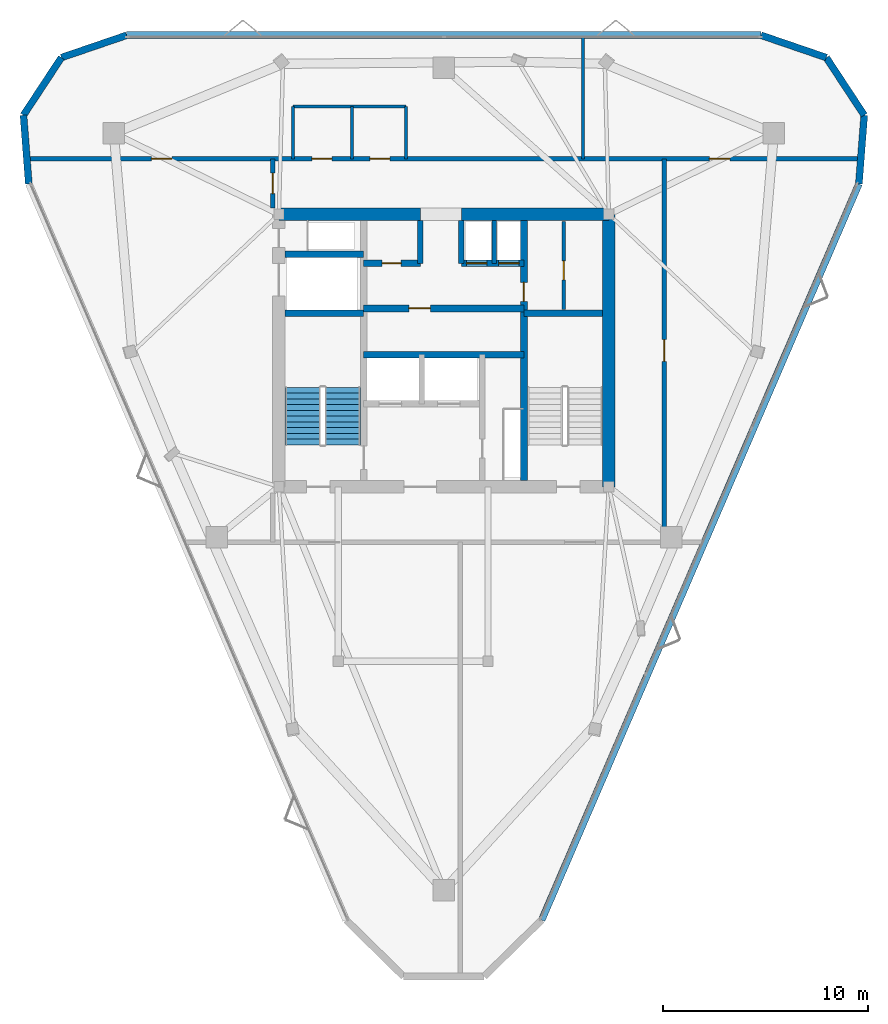
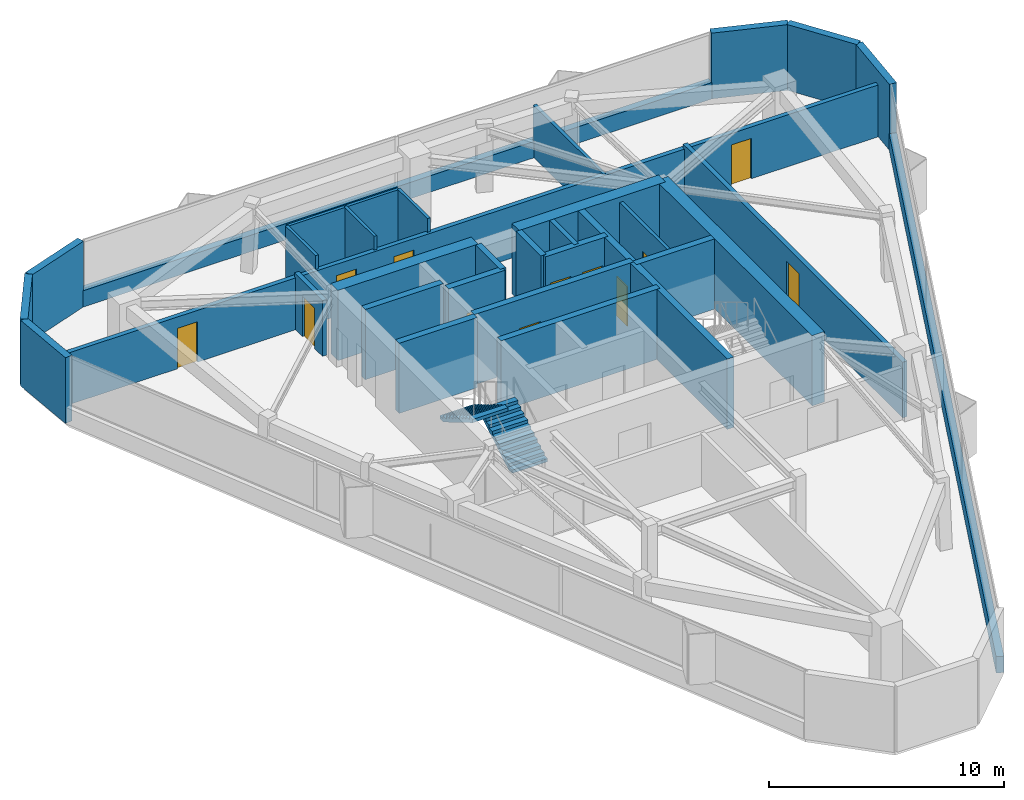
# One storey, part 7 of 9: 31 walls, 12 doors, 2 stair flights, 12 openings, 1 element without a shape of its own.
"""IFC4 building model written with IfcOpenShell, lengths in metres."""

import ifcopenshell
import ifcopenshell.guid

model = None  # the IFC model being written
_history = None  # IfcOwnerHistory: only IFC2X3 demands one
_inside = {}  # id of a spatial element -> (the spatial element, [elements in it])
_under = {}  # id of a project, library or spatial element -> (it, [spatial elements below it])
_declared = {}  # id of a project -> (the project, [libraries it declares])
_typed = {}  # id of a type object -> (the type object, [elements of that type])
_made_of = {}  # id of a material, layer set ... -> (it, [elements and type objects made of it])


def new_model(schema):
    """Start an empty IFC model of exactly this schema.

    Asked for "IFC4X3", IfcOpenShell would pick the latest addendum, in which some entities
    have other attributes; the version numbers below select the first issue.
    IFC2X3 requires an IfcOwnerHistory on every rooted entity: one is made here for all.
    """
    global model, _history
    if schema == "IFC4X3":
        model = ifcopenshell.file(schema_version=(4, 3, 0, 0))
    else:
        model = ifcopenshell.file(schema=schema)
    _inside.clear()
    _under.clear()
    _declared.clear()
    _typed.clear()
    _made_of.clear()
    _history = None
    if model.schema == "IFC2X3":
        org = make("IfcOrganization", Name="unknown")
        user = make(
            "IfcPersonAndOrganization",
            ThePerson=make("IfcPerson", FamilyName="unknown"),
            TheOrganization=org,
        )
        app = make(
            "IfcApplication",
            ApplicationDeveloper=org,
            Version="unknown",
            ApplicationFullName="unknown",
            ApplicationIdentifier="unknown",
        )
        _history = make(
            "IfcOwnerHistory",
            OwningUser=user,
            OwningApplication=app,
            ChangeAction="ADDED",
            CreationDate=0,
        )
    return model


def make(cls, **values):
    """One entity of the class cls with the attributes given. An attribute that is None is left unset."""
    return model.create_entity(
        cls, **{name: value for name, value in values.items() if value is not None}
    )


def rooted(cls, **values):
    """An entity with a GlobalId (a new one), such as an element, a storey or a relation."""
    return make(cls, GlobalId=ifcopenshell.guid.new(), OwnerHistory=_history, **values)


def si_unit(unit_type, name, prefix=None):
    """IfcSIUnit, for example si_unit("LENGTHUNIT", "METRE", prefix="MILLI")."""
    return make("IfcSIUnit", UnitType=unit_type, Prefix=prefix, Name=name)


def assignment(units):
    """IfcUnitAssignment: the units of a project."""
    return None if units is None else make("IfcUnitAssignment", Units=units)


def point(xyz):
    """IfcCartesianPoint."""
    return None if xyz is None else make("IfcCartesianPoint", Coordinates=xyz)


def direction(xyz):
    """IfcDirection."""
    return None if xyz is None else make("IfcDirection", DirectionRatios=xyz)


def frame(location, z_axis=None, x_axis=None):
    """IfcAxis2Placement3D, a coordinate frame: its origin and axes. An axis left out is left unset."""
    return make(
        "IfcAxis2Placement3D",
        Location=point(location),
        Axis=direction(z_axis),
        RefDirection=direction(x_axis),
    )


def frame_2d(location, x_axis=None):
    """IfcAxis2Placement2D, a coordinate frame in the plane: its origin and x axis."""
    return make(
        "IfcAxis2Placement2D", Location=point(location), RefDirection=direction(x_axis)
    )


def origin():
    """The frame at (0, 0, 0) with its axes left unset."""
    return frame((0.0, 0.0, 0.0))


def place(relative_to, where):
    """IfcLocalPlacement: puts the frame where relative to a parent placement (None: the world)."""
    return make(
        "IfcLocalPlacement", PlacementRelTo=relative_to, RelativePlacement=where
    )


def context(
    kind, dimensions, precision=None, world=None, true_north=None, identifier=None
):
    """IfcGeometricRepresentationContext, for example the 3D "Model" context."""
    return make(
        "IfcGeometricRepresentationContext",
        ContextIdentifier=identifier,
        ContextType=kind,
        CoordinateSpaceDimension=dimensions,
        Precision=precision,
        WorldCoordinateSystem=world,
        TrueNorth=true_north,
    )


def subcontext(parent, identifier, kind, view, scale=None):
    """IfcGeometricRepresentationSubContext, for example "Body" below "Model"."""
    return make(
        "IfcGeometricRepresentationSubContext",
        ContextIdentifier=identifier,
        ContextType=kind,
        ParentContext=parent,
        TargetScale=scale,
        TargetView=view,
    )


def project(units=None, contexts=None):
    """IfcProject with its units and contexts."""
    return rooted(
        "IfcProject",
        Name="project",
        RepresentationContexts=contexts,
        UnitsInContext=assignment(units),
    )


def spatial(cls, under=None, at=None, **own):
    """A site, building, storey or space (cls), placed at a placement, below another one or the project."""
    s = rooted(cls, ObjectPlacement=at, **own)
    if under is not None:
        _under.setdefault(under.id(), (under, []))[1].append(s)
    return s


def polyline(points):
    """IfcPolyline through the points."""
    return make("IfcPolyline", Points=[point(p) for p in points])


def profile(cls, at=None, kind="AREA", **sizes):
    """A parametric profile (cls). Its sizes go by their IFC names, for example OverallWidth=200.0."""
    return make(cls, ProfileType=kind, Position=at, **sizes)


def rectangle(**sizes):
    """IfcRectangleProfileDef."""
    return profile("IfcRectangleProfileDef", **sizes)


def outline(outer, holes=None, kind="AREA"):
    """IfcArbitraryClosedProfileDef: a profile drawn as a closed curve; with holes, ...WithVoids."""
    if holes is None:
        return make("IfcArbitraryClosedProfileDef", ProfileType=kind, OuterCurve=outer)
    return make(
        "IfcArbitraryProfileDefWithVoids",
        ProfileType=kind,
        OuterCurve=outer,
        InnerCurves=holes,
    )


def extrude(swept, where, along, depth):
    """IfcExtrudedAreaSolid: the profile swept, set in the frame where, extruded along a direction by depth."""
    return make(
        "IfcExtrudedAreaSolid",
        SweptArea=swept,
        Position=where,
        ExtrudedDirection=direction(along),
        Depth=depth,
    )


def shape(context_of_items, identifier, shape_type, items):
    """IfcShapeRepresentation: the items that make up one representation, for example the "Body"."""
    return make(
        "IfcShapeRepresentation",
        ContextOfItems=context_of_items,
        RepresentationIdentifier=identifier,
        RepresentationType=shape_type,
        Items=items,
    )


def material(Name=None, Category=None):
    """IfcMaterial."""
    return make("IfcMaterial", Name=Name, Category=Category)


def layer(
    of_material, thickness, ventilated=None, Name=None, Category=None, Priority=None
):
    """IfcMaterialLayer: one layer of a wall or slab, of a material (None: an air gap)."""
    return make(
        "IfcMaterialLayer",
        Material=of_material,
        LayerThickness=thickness,
        IsVentilated=ventilated,
        Name=Name,
        Category=Category,
        Priority=Priority,
    )


def layer_set(layers, Name=None):
    """IfcMaterialLayerSet."""
    return make("IfcMaterialLayerSet", MaterialLayers=layers, LayerSetName=Name)


def made_of(thing, what):
    """Note that an element or type object is made of a material, layer set ...; save() writes the relation."""
    if what is not None:
        _made_of.setdefault(what.id(), (what, []))[1].append(thing)
    return thing


def type_object(cls, material=None, **own):
    """A type object (cls), such as IfcWallType, which elements share."""
    return made_of(rooted(cls, **own), material)


def element(
    cls,
    number,
    at=None,
    inside=None,
    cuts=None,
    type_object=None,
    material=None,
    context=None,
    identifier="Body",
    shape_type=None,
    held_by="IfcProductDefinitionShape",
    body=None,
    shapes=None,
    **own,
):
    """One element of the class cls, such as IfcWall. Its Tag is "e" and its number.

    at: its placement. inside: the storey or other place that contains it. cuts: it is an
    opening in that element (IfcRelVoidsElement). A single representation is given by context,
    identifier, shape_type and body (its items); several are given by shapes. held_by: the class
    of the entity that holds the representations. save() writes the other relations.
    """
    e = rooted(cls, Tag="e%d" % number, ObjectPlacement=at, **own)
    if body is not None:
        shapes = [shape(context, identifier, shape_type, body)]
    if shapes is not None:
        e.Representation = make(held_by, Representations=shapes)
    if inside is not None:
        _inside.setdefault(inside.id(), (inside, []))[1].append(e)
    if cuts is not None:
        rooted(
            "IfcRelVoidsElement", RelatingBuildingElement=cuts, RelatedOpeningElement=e
        )
    if type_object is not None:
        _typed.setdefault(type_object.id(), (type_object, []))[1].append(e)
    return made_of(e, material)


def fill(opening, filler):
    """IfcRelFillsElement: the door or window that sits in an opening."""
    return rooted(
        "IfcRelFillsElement",
        RelatingOpeningElement=opening,
        RelatedBuildingElement=filler,
    )


def aggregate(whole, parts):
    """IfcRelAggregates: a whole, such as a stair, and the parts it consists of."""
    return rooted("IfcRelAggregates", RelatingObject=whole, RelatedObjects=parts)


def save(model, path):
    """Write the relations noted so far, then the file.

    IfcRelAggregates (storeys below a building ...), IfcRelContainedInSpatialStructure (elements
    in a storey), IfcRelDefinesByType, IfcRelAssociatesMaterial and IfcRelDeclares: one each for
    every whole, place, type object, material and project.
    """
    for whole, parts in _under.values():
        aggregate(whole, parts)
    for where, things in _inside.values():
        rooted(
            "IfcRelContainedInSpatialStructure",
            RelatedElements=things,
            RelatingStructure=where,
        )
    for kind, things in _typed.values():
        rooted("IfcRelDefinesByType", RelatedObjects=things, RelatingType=kind)
    for what, things in _made_of.values():
        rooted("IfcRelAssociatesMaterial", RelatedObjects=things, RelatingMaterial=what)
    for by, libraries in _declared.values():
        rooted("IfcRelDeclares", RelatingContext=by, RelatedDefinitions=libraries)
    model.write(path)


model = new_model("IFC4")

# Units and contexts
model_context = context("Model", 3, precision=1e-05, world=origin(), true_north=direction((0.0, 1.0)))
body_context = subcontext(model_context, "Body", "Model", "MODEL_VIEW")
ifc_project = project(units=[si_unit("LENGTHUNIT", "METRE"), si_unit("AREAUNIT", "SQUARE_METRE"), si_unit("VOLUMEUNIT", "CUBIC_METRE"), si_unit("PLANEANGLEUNIT", "RADIAN"), si_unit("MASSUNIT", "GRAM", prefix="KILO")], contexts=[model_context])

# Site, building, storey
site_placement = place(None, origin())
site = spatial("IfcSite", under=ifc_project, at=site_placement, CompositionType="ELEMENT")
building_placement = place(site_placement, origin())
building = spatial("IfcBuilding", under=site, at=building_placement, Name="Talyreon Biosciences Tower", CompositionType="ELEMENT")
storey_placement = place(building_placement, frame((0.0, 0.0, 309.35009765625)))
storey = spatial("IfcBuildingStorey", under=building, at=storey_placement, Name="L82", CompositionType="ELEMENT", Elevation=309.35009765625)

# Walls
ifc_material_1 = material(Name="Concrete C50/60", Category="concrete")
ifc_layer_1 = layer(ifc_material_1, 0.219970703125)
ifc_layer_set_1 = layer_set([ifc_layer_1], Name="Concrete C50/60")
wall_type_1 = type_object("IfcWallType", Name="CoreShearWall_220", PredefinedType="SHEAR", material=ifc_layer_set_1)
wall_1_placement = place(storey_placement, frame((68.4599609375, 72.25, 0.0), z_axis=(0.0, 0.0, 1.0), x_axis=(0.0, 1.0, 0.0)))
element("IfcWall", 1, at=wall_1_placement, inside=storey, type_object=wall_type_1, Name="L82 Core Shaft Wall SWPHD", PredefinedType="SHEAR", context=body_context, shape_type="SweptSolid", body=[
    extrude(rectangle(XDim=2.10009765625, YDim=0.219970703125, at=frame_2d((1.050048828125, 0.0))), origin(), (0.0, 0.0, 1.0), 3.64990234375),
])
ifc_layer_2 = layer(ifc_material_1, 0.280029296875)
ifc_layer_set_2 = layer_set([ifc_layer_2], Name="Concrete C50/60")
wall_type_2 = type_object("IfcWallType", Name="CoreShearWall_280", PredefinedType="SHEAR", material=ifc_layer_set_2)
for number, where, z_axis, x_axis, name in (
    (2, (64.85009765625, 72.25, 0.0), (0.0, 0.0, 1.0), (0.0, 1.0, 0.0), "L82 Core Shaft Wall SWTHW"),
    (3, (66.85009765625, 72.25, 0.0), (0.0, 0.0, 1.0), (0.0, 1.0, 0.0), "L82 Core Shaft Wall SWTHE"),
):
    element("IfcWall", number, at=place(storey_placement, frame(where, z_axis=z_axis, x_axis=x_axis)), inside=storey, type_object=wall_type_2, Name=name, PredefinedType="SHEAR", context=body_context, shape_type="SweptSolid", body=[
        extrude(rectangle(XDim=2.10009765625, YDim=0.280029296875, at=frame_2d((1.050048828125, 0.0))), origin(), (0.0, 0.0, 1.0), 3.64990234375),
    ])

# Wall, opening, door
ifc_layer_3 = layer(ifc_material_1, 0.320068359375)
ifc_layer_set_3 = layer_set([ifc_layer_3], Name="Concrete C50/60")
wall_type_3 = type_object("IfcWallType", Name="CoreShearWall_320", PredefinedType="SHEAR", material=ifc_layer_set_3)
wall_2_placement = place(storey_placement, frame((69.909912109375, 61.64990234375, 0.0), z_axis=(0.0, 0.0, 1.0), x_axis=(0.0, 1.0, 0.0)))
wall_2 = element("IfcWall", 4, at=wall_2_placement, inside=storey, type_object=wall_type_3, Name="L82 Core Shaft Wall SW2W", PredefinedType="SHEAR", context=body_context, shape_type="SweptSolid", body=[
    extrude(rectangle(XDim=12.7001953125, YDim=0.320068359375, at=frame_2d((6.35009765625, 0.0))), origin(), (0.0, 0.0, 1.0), 3.64990234375),
])
opening_1_placement = place(wall_2_placement, frame((8.75, 0.0, 0.0)))
opening_1 = element("IfcOpeningElement", 5, at=opening_1_placement, cuts=wall_2, Name="Opening DR-L82-CSRV", PredefinedType="OPENING", context=body_context, shape_type="SweptSolid", body=[
    extrude(rectangle(XDim=0.919921875, YDim=2.050048828125, at=frame_2d((0.4599609375, 1.02490234375))), frame((0.0, 0.169921875, 0.0), z_axis=(0.0, -1.0, 0.0), x_axis=(1.0, 0.0, 0.0)), (0.0, 0.0, 1.0), 0.340087890625),
])
ifc_material_2 = material(Name="Painted steel fire-rated riser door", Category="steel")
door_type_1 = type_object("IfcDoorType", Name="RiserPlantAccessDoor_920x2050", OperationType="NOTDEFINED", PredefinedType="DOOR", material=ifc_material_2)
door_1_placement = place(opening_1_placement, origin())
door_1 = element("IfcDoor", 6, at=door_1_placement, inside=storey, type_object=door_type_1, Name="L82 Core Door DR-L82-CSRV", OperationType="SINGLE_SWING_RIGHT", OverallHeight=2.050048828125, OverallWidth=0.919921875, PredefinedType="DOOR", context=body_context, shape_type="SweptSolid", body=[
    extrude(rectangle(XDim=0.919921875, YDim=2.050048828125, at=frame_2d((0.4599609375, 1.02490234375))), frame((0.0, 0.02490234375, 0.0), z_axis=(0.0, -1.0, 0.0), x_axis=(1.0, 0.0, 0.0)), (0.0, 0.0, 1.0), 0.050048828125),
])
fill(opening_1, door_1)

# Walls
for number, where, z_axis, x_axis, name in (
    (7, (58.25, 69.81005859375, 0.0), (0.0, 0.0, 1.0), (1.0, 0.0, 0.0), "L82 Core Shaft Wall SW1N"),
    (8, (69.909912109375, 69.81005859375, 0.0), (0.0, 0.0, 1.0), (1.0, 0.0, 0.0), "L82 Core Shaft Wall SW2N"),
    (9, (58.25, 72.699951171875, 0.0), (0.0, 0.0, 1.0), (1.0, 0.0, 0.0), "L82 Core Shaft Wall SWGLN"),
):
    element("IfcWall", number, at=place(storey_placement, frame(where, z_axis=z_axis, x_axis=x_axis)), inside=storey, type_object=wall_type_3, Name=name, PredefinedType="SHEAR", context=body_context, shape_type="SweptSolid", body=[
        extrude(rectangle(XDim=3.840087890625, YDim=0.320068359375, at=frame_2d((1.919921875, 0.0))), origin(), (0.0, 0.0, 1.0), 3.64990234375),
    ])
wall_3_placement = place(storey_placement, frame((62.090087890625, 67.800048828125, 0.0), z_axis=(0.0, 0.0, 1.0), x_axis=(1.0, 0.0, 0.0)))
element("IfcWall", 10, at=wall_3_placement, inside=storey, type_object=wall_type_3, Name="L82 Core Shaft Wall SWSHM", PredefinedType="SHEAR", context=body_context, shape_type="SweptSolid", body=[
    extrude(rectangle(XDim=7.81982421875, YDim=0.320068359375, at=frame_2d((3.909912109375, 0.0))), origin(), (0.0, 0.0, 1.0), 3.64990234375),
])

# Wall, opening, door
wall_4_placement = place(storey_placement, frame((62.090087890625, 70.050048828125, 0.0), z_axis=(0.0, 0.0, 1.0), x_axis=(1.0, 0.0, 0.0)))
wall_4 = element("IfcWall", 11, at=wall_4_placement, inside=storey, type_object=wall_type_3, Name="L82 Core Shaft Wall SWSPN", PredefinedType="SHEAR", context=body_context, shape_type="SweptSolid", body=[
    extrude(rectangle(XDim=7.81982421875, YDim=0.320068359375, at=frame_2d((3.909912109375, 0.0))), origin(), (0.0, 0.0, 1.0), 3.64990234375),
])
opening_2_placement = place(wall_4_placement, frame((2.199951171875, 0.0, 0.0)))
opening_2 = element("IfcOpeningElement", 12, at=opening_2_placement, cuts=wall_4, Name="Opening DR-L82-PLPMFREE", PredefinedType="OPENING", context=body_context, shape_type="SweptSolid", body=[
    extrude(rectangle(XDim=1.050048828125, YDim=2.14990234375, at=frame_2d((0.52490234375, 1.074951171875))), frame((0.0, 0.169921875, 0.0), z_axis=(0.0, -1.0, 0.0), x_axis=(1.0, 0.0, 0.0)), (0.0, 0.0, 1.0), 0.340087890625),
])
ifc_material_3 = material(Name="Acoustic timber-core laboratory door", Category="wood")
door_type_2 = type_object("IfcDoorType", Name="DryLabSingleDoor_1050x2150", OperationType="NOTDEFINED", PredefinedType="DOOR", material=ifc_material_3)
door_2_placement = place(opening_2_placement, origin())
door_2 = element("IfcDoor", 13, at=door_2_placement, inside=storey, type_object=door_type_2, Name="L82 Core Door DR-L82-PLPMFREE", OperationType="SINGLE_SWING_LEFT", OverallHeight=2.14990234375, OverallWidth=1.050048828125, PredefinedType="DOOR", context=body_context, shape_type="SweptSolid", body=[
    extrude(rectangle(XDim=1.050048828125, YDim=2.14990234375, at=frame_2d((0.52490234375, 1.074951171875))), frame((0.0, 0.02490234375, 0.0), z_axis=(0.0, -1.0, 0.0), x_axis=(1.0, 0.0, 0.0)), (0.0, 0.0, 1.0), 0.050048828125),
])
fill(opening_2, door_2)

wall_5_placement = place(storey_placement, frame((62.090087890625, 72.25, 0.0), z_axis=(0.0, 0.0, 1.0), x_axis=(1.0, 0.0, 0.0)))
wall_5 = element("IfcWall", 14, at=wall_5_placement, inside=storey, type_object=wall_type_3, Name="L82 Core Shaft Wall SWNPW", PredefinedType="SHEAR", context=body_context, shape_type="SweptSolid", body=[
    extrude(rectangle(XDim=2.760009765625, YDim=0.320068359375, at=frame_2d((1.3798828125, 0.0))), origin(), (0.0, 0.0, 1.0), 3.64990234375),
])
opening_3_placement = place(wall_5_placement, frame((0.89990234375, 0.0, 0.0)))
opening_3 = element("IfcOpeningElement", 15, at=opening_3_placement, cuts=wall_5, Name="Opening DR-L82-PM2FREE", PredefinedType="OPENING", context=body_context, shape_type="SweptSolid", body=[
    extrude(rectangle(XDim=0.919921875, YDim=2.050048828125, at=frame_2d((0.4599609375, 1.02490234375))), frame((0.0, 0.169921875, 0.0), z_axis=(0.0, -1.0, 0.0), x_axis=(1.0, 0.0, 0.0)), (0.0, 0.0, 1.0), 0.340087890625),
])
door_3_placement = place(opening_3_placement, origin())
door_3 = element("IfcDoor", 16, at=door_3_placement, inside=storey, type_object=door_type_1, Name="L82 Core Door DR-L82-PM2FREE", OperationType="SINGLE_SWING_RIGHT", OverallHeight=2.050048828125, OverallWidth=0.919921875, PredefinedType="DOOR", context=body_context, shape_type="SweptSolid", body=[
    extrude(rectangle(XDim=0.919921875, YDim=2.050048828125, at=frame_2d((0.4599609375, 1.02490234375))), frame((0.0, 0.02490234375, 0.0), z_axis=(0.0, -1.0, 0.0), x_axis=(1.0, 0.0, 0.0)), (0.0, 0.0, 1.0), 0.050048828125),
])
fill(opening_3, door_3)

# Wall, openings, doors
wall_6_placement = place(storey_placement, frame((66.85009765625, 72.25, 0.0), z_axis=(0.0, 0.0, 1.0), x_axis=(1.0, 0.0, 0.0)))
wall_6 = element("IfcWall", 17, at=wall_6_placement, inside=storey, type_object=wall_type_3, Name="L82 Core Shaft Wall SWNPE", PredefinedType="SHEAR", context=body_context, shape_type="SweptSolid", body=[
    extrude(rectangle(XDim=3.059814453125, YDim=0.320068359375, at=frame_2d((1.52978515625, 0.0))), origin(), (0.0, 0.0, 1.0), 3.64990234375),
])
opening_4_placement = place(wall_6_placement, frame((0.25, 0.0, 0.0)))
opening_4 = element("IfcOpeningElement", 18, at=opening_4_placement, cuts=wall_6, Name="Opening LD-L82-PH1", PredefinedType="OPENING", context=body_context, shape_type="SweptSolid", body=[
    extrude(rectangle(XDim=1.0, YDim=2.199951171875, at=frame_2d((0.5, 1.10009765625))), frame((0.0, 0.169921875, 0.0), z_axis=(0.0, -1.0, 0.0), x_axis=(1.0, 0.0, 0.0)), (0.0, 0.0, 1.0), 0.340087890625),
])
opening_5_placement = place(wall_6_placement, frame((1.820068359375, 0.0, 0.0)))
opening_5 = element("IfcOpeningElement", 19, at=opening_5_placement, cuts=wall_6, Name="Opening LD-L82-PH2", PredefinedType="OPENING", context=body_context, shape_type="SweptSolid", body=[
    extrude(rectangle(XDim=1.0, YDim=2.199951171875, at=frame_2d((0.5, 1.10009765625))), frame((0.0, 0.169921875, 0.0), z_axis=(0.0, -1.0, 0.0), x_axis=(1.0, 0.0, 0.0)), (0.0, 0.0, 1.0), 0.340087890625),
])
ifc_material_4 = material(Name="Brushed stainless-steel lift landing door", Category="steel")
door_type_3 = type_object("IfcDoorType", Name="LiftSlidingLandingDoor_1100x2200", OperationType="SLIDING_TO_LEFT", PredefinedType="DOOR", material=ifc_material_4)
door_4_placement = place(opening_4_placement, origin())
door_4 = element("IfcDoor", 20, at=door_4_placement, inside=storey, type_object=door_type_3, Name="L82 Core Door LD-L82-PH1", OperationType="SLIDING_TO_LEFT", OverallHeight=2.199951171875, OverallWidth=1.0, PredefinedType="DOOR", context=body_context, shape_type="SweptSolid", body=[
    extrude(rectangle(XDim=1.0, YDim=2.199951171875, at=frame_2d((0.5, 1.10009765625))), frame((0.0, 0.02490234375, 0.0), z_axis=(0.0, -1.0, 0.0), x_axis=(1.0, 0.0, 0.0)), (0.0, 0.0, 1.0), 0.050048828125),
])
fill(opening_4, door_4)
door_5_placement = place(opening_5_placement, origin())
door_5 = element("IfcDoor", 21, at=door_5_placement, inside=storey, type_object=door_type_3, Name="L82 Core Door LD-L82-PH2", OperationType="SLIDING_TO_LEFT", OverallHeight=2.199951171875, OverallWidth=1.0, PredefinedType="DOOR", context=body_context, shape_type="SweptSolid", body=[
    extrude(rectangle(XDim=1.0, YDim=2.199951171875, at=frame_2d((0.5, 1.10009765625))), frame((0.0, 0.02490234375, 0.0), z_axis=(0.0, -1.0, 0.0), x_axis=(1.0, 0.0, 0.0)), (0.0, 0.0, 1.0), 0.050048828125),
])
fill(opening_5, door_5)

# Walls
ifc_layer_4 = layer(ifc_material_1, 0.60009765625)
ifc_layer_set_4 = layer_set([ifc_layer_4], Name="Concrete C50/60")
wall_type_4 = type_object("IfcWallType", Name="CoreShearWall_600", PredefinedType="SHEAR", material=ifc_layer_set_4)
wall_7_placement = place(storey_placement, frame((74.050048828125, 61.35009765625, 0.0), z_axis=(0.0, 0.0, 1.0), x_axis=(0.0, 1.0, 0.0)))
element("IfcWall", 22, at=wall_7_placement, inside=storey, type_object=wall_type_4, Name="L82 Core Shear Wall E", PredefinedType="SHEAR", context=body_context, shape_type="SweptSolid", body=[
    extrude(rectangle(XDim=13.2998046875, YDim=0.60009765625, at=frame_2d((6.64990234375, 0.0))), origin(), (0.0, 0.0, 1.0), 3.64990234375),
])
wall_8_placement = place(storey_placement, frame((74.050048828125, 74.64990234375, 0.0), z_axis=(0.0, 0.0, 1.0), x_axis=(-1.0, 0.0, 0.0)))
element("IfcWall", 23, at=wall_8_placement, inside=storey, type_object=wall_type_4, Name="L82 Core Shear Wall NE", PredefinedType="SHEAR", context=body_context, shape_type="SweptSolid", body=[
    extrude(rectangle(XDim=7.199951171875, YDim=0.60009765625, at=frame_2d((3.60009765625, 0.0))), origin(), (0.0, 0.0, 1.0), 3.64990234375),
])
wall_9_placement = place(storey_placement, frame((64.85009765625, 74.64990234375, 0.0), z_axis=(0.0, 0.0, 1.0), x_axis=(-1.0, 0.0, 0.0)))
element("IfcWall", 24, at=wall_9_placement, inside=storey, type_object=wall_type_4, Name="L82 Core Shear Wall NW", PredefinedType="SHEAR", context=body_context, shape_type="SweptSolid", body=[
    extrude(rectangle(XDim=6.900146484375, YDim=0.60009765625, at=frame_2d((3.4501953125, 0.0))), origin(), (0.0, 0.0, 1.0), 3.64990234375),
])

# Wall, openings, doors
ifc_material_5 = material(Name="Gypsum fireboard acoustic stud", Category="gypsum")
ifc_layer_5 = layer(ifc_material_5, 0.219970703125)
ifc_layer_set_5 = layer_set([ifc_layer_5], Name="Gypsum fireboard acoustic stud")
wall_type_5 = type_object("IfcWallType", Name="CorridorRatedPartition_220", PredefinedType="PARTITIONING", material=ifc_layer_set_5)
wall_10_placement = place(storey_placement, frame((45.738037109375, 77.35009765625, 0.0), z_axis=(0.0, 0.0, 1.0), x_axis=(1.0, 0.0, 0.0)))
wall_10 = element("IfcWall", 25, at=wall_10_placement, inside=storey, type_object=wall_type_5, Name="L82 Interior Wall IW-L82-COR-N", PredefinedType="PARTITIONING", context=body_context, shape_type="SweptSolid", body=[
    extrude(rectangle(XDim=40.52392578125, YDim=0.219970703125, at=frame_2d((20.261962890625, 0.0))), origin(), (0.0, 0.0, 1.0), 2.69482421875),
])
opening_6_placement = place(wall_10_placement, frame((13.822021484375, 0.0, 0.0)))
opening_6 = element("IfcOpeningElement", 26, at=opening_6_placement, cuts=wall_10, Name="Opening DR-L82-WC", PredefinedType="OPENING", context=body_context, shape_type="SweptSolid", body=[
    extrude(rectangle(XDim=0.97998046875, YDim=2.10009765625, at=frame_2d((0.489990234375, 1.050048828125))), frame((0.0, 0.119873046875, 0.0), z_axis=(0.0, -1.0, 0.0), x_axis=(1.0, 0.0, 0.0)), (0.0, 0.0, 1.0), 0.239990234375),
])
opening_7_placement = place(wall_10_placement, frame((16.64697265625, 0.0, 0.0)))
opening_7 = element("IfcOpeningElement", 27, at=opening_7_placement, cuts=wall_10, Name="Opening DR-L82-AWC", PredefinedType="OPENING", context=body_context, shape_type="SweptSolid", body=[
    extrude(rectangle(XDim=0.97998046875, YDim=2.10009765625, at=frame_2d((0.489990234375, 1.050048828125))), frame((0.0, 0.119873046875, 0.0), z_axis=(0.0, -1.0, 0.0), x_axis=(1.0, 0.0, 0.0)), (0.0, 0.0, 1.0), 0.239990234375),
])
opening_8_placement = place(wall_10_placement, frame((5.990966796875, 0.0, 0.0)))
opening_8 = element("IfcOpeningElement", 28, at=opening_8_placement, cuts=wall_10, Name="Opening DR-L82-N1A", PredefinedType="OPENING", context=body_context, shape_type="SweptSolid", body=[
    extrude(rectangle(XDim=1.0, YDim=2.10009765625, at=frame_2d((0.5, 1.050048828125))), frame((0.0, 0.119873046875, 0.0), z_axis=(0.0, -1.0, 0.0), x_axis=(1.0, 0.0, 0.0)), (0.0, 0.0, 1.0), 0.239990234375),
])
opening_9_placement = place(wall_10_placement, frame((33.212890625, 0.0, 0.0)))
opening_9 = element("IfcOpeningElement", 29, at=opening_9_placement, cuts=wall_10, Name="Opening DR-L82-N2A", PredefinedType="OPENING", context=body_context, shape_type="SweptSolid", body=[
    extrude(rectangle(XDim=1.0, YDim=2.10009765625, at=frame_2d((0.5, 1.050048828125))), frame((0.0, 0.119873046875, 0.0), z_axis=(0.0, -1.0, 0.0), x_axis=(1.0, 0.0, 0.0)), (0.0, 0.0, 1.0), 0.239990234375),
])
ifc_material_6 = material(Name="Laminate moisture-resistant door", Category="wood")
door_type_4 = type_object("IfcDoorType", Name="AccessibleToiletDoor_980x2100", OperationType="NOTDEFINED", PredefinedType="DOOR", material=ifc_material_6)
door_6_placement = place(opening_6_placement, origin())
door_6 = element("IfcDoor", 30, at=door_6_placement, inside=storey, type_object=door_type_4, Name="L82 Interior Door DR-L82-WC", OperationType="SINGLE_SWING_LEFT", OverallHeight=2.10009765625, OverallWidth=0.97998046875, PredefinedType="DOOR", context=body_context, shape_type="SweptSolid", body=[
    extrude(rectangle(XDim=0.97998046875, YDim=2.10009765625, at=frame_2d((0.489990234375, 1.050048828125))), frame((0.0, 0.02490234375, 0.0), z_axis=(0.0, -1.0, 0.0), x_axis=(1.0, 0.0, 0.0)), (0.0, 0.0, 1.0), 0.050048828125),
])
fill(opening_6, door_6)
door_7_placement = place(opening_7_placement, origin())
door_7 = element("IfcDoor", 31, at=door_7_placement, inside=storey, type_object=door_type_4, Name="L82 Interior Door DR-L82-AWC", OperationType="SINGLE_SWING_LEFT", OverallHeight=2.10009765625, OverallWidth=0.97998046875, PredefinedType="DOOR", context=body_context, shape_type="SweptSolid", body=[
    extrude(rectangle(XDim=0.97998046875, YDim=2.10009765625, at=frame_2d((0.489990234375, 1.050048828125))), frame((0.0, 0.02490234375, 0.0), z_axis=(0.0, -1.0, 0.0), x_axis=(1.0, 0.0, 0.0)), (0.0, 0.0, 1.0), 0.050048828125),
])
fill(opening_7, door_7)
ifc_material_7 = material(Name="Acoustic oak veneer office door", Category="wood")
door_type_5 = type_object("IfcDoorType", Name="WriteupOfficeDoor_1000x2100", OperationType="NOTDEFINED", PredefinedType="DOOR", material=ifc_material_7)
door_8_placement = place(opening_8_placement, origin())
door_8 = element("IfcDoor", 32, at=door_8_placement, inside=storey, type_object=door_type_5, Name="L82 Interior Door DR-L82-N1A", OperationType="SINGLE_SWING_LEFT", OverallHeight=2.10009765625, OverallWidth=1.0, PredefinedType="DOOR", context=body_context, shape_type="SweptSolid", body=[
    extrude(rectangle(XDim=1.0, YDim=2.10009765625, at=frame_2d((0.5, 1.050048828125))), frame((0.0, 0.02490234375, 0.0), z_axis=(0.0, -1.0, 0.0), x_axis=(1.0, 0.0, 0.0)), (0.0, 0.0, 1.0), 0.050048828125),
])
fill(opening_8, door_8)
door_9_placement = place(opening_9_placement, origin())
door_9 = element("IfcDoor", 33, at=door_9_placement, inside=storey, type_object=door_type_5, Name="L82 Interior Door DR-L82-N2A", OperationType="SINGLE_SWING_LEFT", OverallHeight=2.10009765625, OverallWidth=1.0, PredefinedType="DOOR", context=body_context, shape_type="SweptSolid", body=[
    extrude(rectangle(XDim=1.0, YDim=2.10009765625, at=frame_2d((0.5, 1.050048828125))), frame((0.0, 0.02490234375, 0.0), z_axis=(0.0, -1.0, 0.0), x_axis=(1.0, 0.0, 0.0)), (0.0, 0.0, 1.0), 0.050048828125),
])
fill(opening_9, door_9)

# Wall, opening, door
wall_11_placement = place(storey_placement, frame((57.64990234375, 74.949951171875, 0.0), z_axis=(0.0, 0.0, 1.0), x_axis=(0.0, 1.0, 0.0)))
wall_11 = element("IfcWall", 34, at=wall_11_placement, inside=storey, type_object=wall_type_5, Name="L82 Interior Wall IW-L82-WCAP-N", PredefinedType="PARTITIONING", context=body_context, shape_type="SweptSolid", body=[
    extrude(rectangle(XDim=2.400146484375, YDim=0.219970703125, at=frame_2d((1.2001953125, 0.0))), origin(), (0.0, 0.0, 1.0), 2.89501953125),
])
opening_10_placement = place(wall_11_placement, frame((0.699951171875, 0.0, 0.0)))
opening_10 = element("IfcOpeningElement", 35, at=opening_10_placement, cuts=wall_11, Name="Opening DR-L82-W1A", PredefinedType="OPENING", context=body_context, shape_type="SweptSolid", body=[
    extrude(rectangle(XDim=1.0, YDim=2.10009765625, at=frame_2d((0.5, 1.050048828125))), frame((0.0, 0.119873046875, 0.0), z_axis=(0.0, -1.0, 0.0), x_axis=(1.0, 0.0, 0.0)), (0.0, 0.0, 1.0), 0.239990234375),
])
door_10_placement = place(opening_10_placement, origin())
door_10 = element("IfcDoor", 36, at=door_10_placement, inside=storey, type_object=door_type_5, Name="L82 Interior Door DR-L82-W1A", OperationType="SINGLE_SWING_RIGHT", OverallHeight=2.10009765625, OverallWidth=1.0, PredefinedType="DOOR", context=body_context, shape_type="SweptSolid", body=[
    extrude(rectangle(XDim=1.0, YDim=2.10009765625, at=frame_2d((0.5, 1.050048828125))), frame((0.0, 0.02490234375, 0.0), z_axis=(0.0, -1.0, 0.0), x_axis=(1.0, 0.0, 0.0)), (0.0, 0.0, 1.0), 0.050048828125),
])
fill(opening_10, door_10)

wall_12_placement = place(storey_placement, frame((76.75, 58.64990234375, 0.0), z_axis=(0.0, 0.0, 1.0), x_axis=(0.0, 1.0, 0.0)))
wall_12 = element("IfcWall", 37, at=wall_12_placement, inside=storey, type_object=wall_type_5, Name="L82 Interior Wall IW-L82-COR-E", PredefinedType="PARTITIONING", context=body_context, shape_type="SweptSolid", body=[
    extrude(rectangle(XDim=18.7001953125, YDim=0.219970703125, at=frame_2d((9.35009765625, 0.0))), origin(), (0.0, 0.0, 1.0), 2.89501953125),
])
opening_11_placement = place(wall_12_placement, frame((8.824951171875, 0.0, 0.0)))
opening_11 = element("IfcOpeningElement", 38, at=opening_11_placement, cuts=wall_12, Name="Opening DR-L82-E1A", PredefinedType="OPENING", context=body_context, shape_type="SweptSolid", body=[
    extrude(rectangle(XDim=1.050048828125, YDim=2.14990234375, at=frame_2d((0.52490234375, 1.074951171875))), frame((0.0, 0.119873046875, 0.0), z_axis=(0.0, -1.0, 0.0), x_axis=(1.0, 0.0, 0.0)), (0.0, 0.0, 1.0), 0.239990234375),
])
door_11_placement = place(opening_11_placement, origin())
door_11 = element("IfcDoor", 39, at=door_11_placement, inside=storey, type_object=door_type_2, Name="L82 Interior Door DR-L82-E1A", OperationType="SINGLE_SWING_LEFT", OverallHeight=2.14990234375, OverallWidth=1.050048828125, PredefinedType="DOOR", context=body_context, shape_type="SweptSolid", body=[
    extrude(rectangle(XDim=1.050048828125, YDim=2.14990234375, at=frame_2d((0.52490234375, 1.074951171875))), frame((0.0, 0.02490234375, 0.0), z_axis=(0.0, -1.0, 0.0), x_axis=(1.0, 0.0, 0.0)), (0.0, 0.0, 1.0), 0.050048828125),
])
fill(opening_11, door_11)

ifc_material_8 = material(Name="Gypsum acoustic stud partition", Category="gypsum")
ifc_layer_6 = layer(ifc_material_8, 0.159912109375)
ifc_layer_set_6 = layer_set([ifc_layer_6], Name="Gypsum acoustic stud partition")
wall_type_6 = type_object("IfcWallType", Name="LabSeparationPartition_160", PredefinedType="PARTITIONING", material=ifc_layer_set_6)
wall_13_placement = place(storey_placement, frame((71.85009765625, 70.0, 0.0), z_axis=(0.0, 0.0, 1.0), x_axis=(0.0, 1.0, 0.0)))
wall_13 = element("IfcWall", 40, at=wall_13_placement, inside=storey, type_object=wall_type_6, Name="L82 Interior Wall IW-L82-CSRV-V", PredefinedType="PARTITIONING", context=body_context, shape_type="SweptSolid", body=[
    extrude(rectangle(XDim=4.300048828125, YDim=0.159912109375, at=frame_2d((2.14990234375, 0.0))), origin(), (0.0, 0.0, 1.0), 3.414794921875),
])
opening_12_placement = place(wall_13_placement, frame((1.449951171875, 0.0, 0.0)))
opening_12 = element("IfcOpeningElement", 41, at=opening_12_placement, cuts=wall_13, Name="Opening DR-L82-CSRV-I", PredefinedType="OPENING", context=body_context, shape_type="SweptSolid", body=[
    extrude(rectangle(XDim=0.919921875, YDim=2.050048828125, at=frame_2d((0.4599609375, 1.02490234375))), frame((0.0, 0.08984375, 0.0), z_axis=(0.0, -1.0, 0.0), x_axis=(1.0, 0.0, 0.0)), (0.0, 0.0, 1.0), 0.179931640625),
])
door_12_placement = place(opening_12_placement, origin())
door_12 = element("IfcDoor", 42, at=door_12_placement, inside=storey, type_object=door_type_1, Name="L82 Interior Door DR-L82-CSRV-I", OperationType="SINGLE_SWING_RIGHT", OverallHeight=2.050048828125, OverallWidth=0.919921875, PredefinedType="DOOR", context=body_context, shape_type="SweptSolid", body=[
    extrude(rectangle(XDim=0.919921875, YDim=2.050048828125, at=frame_2d((0.4599609375, 1.02490234375))), frame((0.0, 0.02490234375, 0.0), z_axis=(0.0, -1.0, 0.0), x_axis=(1.0, 0.0, 0.0)), (0.0, 0.0, 1.0), 0.050048828125),
])
fill(opening_12, door_12)

# Walls
wall_14_placement = place(storey_placement, frame((72.7900390625, 77.35009765625, 0.0), z_axis=(0.0, 0.0, 1.0), x_axis=(0.0, 1.0, 0.0)))
element("IfcWall", 43, at=wall_14_placement, inside=storey, type_object=wall_type_6, Name="L82 Interior Wall IW-L82-NDIV1", PredefinedType="PARTITIONING", context=body_context, shape_type="SweptSolid", body=[
    extrude(rectangle(XDim=5.9482421875, YDim=0.159912109375, at=frame_2d((2.97412109375, 0.0))), origin(), (0.0, 0.0, 1.0), 2.69482421875),
])
ifc_material_9 = material(Name="Precast concrete C45/55", Category="concrete")
ifc_layer_7 = layer(ifc_material_9, 0.340087890625)
ifc_layer_set_7 = layer_set([ifc_layer_7], Name="Precast concrete C45/55")
wall_type_7 = type_object("IfcWallType", Name="PrecastConcreteSpandrelWall_340", PredefinedType="STANDARD", material=ifc_layer_set_7)
wall_15_placement = place(storey_placement, frame((45.74755859375, 76.12548828125, 0.0), z_axis=(0.0, 0.0, 1.0), x_axis=(-0.07716791082, 0.997018110939, 0.0)))
element("IfcWall", 44, at=wall_15_placement, inside=storey, type_object=wall_type_7, Name="L82 Rounded-Corner Concrete Pier 01", PredefinedType="STANDARD", context=body_context, shape_type="SweptSolid", body=[
    extrude(rectangle(XDim=3.3662109375, YDim=0.340087890625, at=frame_2d((1.68310546875, 0.0))), origin(), (0.0, 0.0, 1.0), 3.414794921875),
])
wall_16_placement = place(storey_placement, frame((45.48779296875, 79.481689453125, 0.0), z_axis=(0.0, 0.0, 1.0), x_axis=(0.549652464566, 0.835393421208, 0.0)))
element("IfcWall", 45, at=wall_16_placement, inside=storey, type_object=wall_type_7, Name="L82 Rounded-Corner Concrete Pier 02", PredefinedType="STANDARD", context=body_context, shape_type="SweptSolid", body=[
    extrude(rectangle(XDim=3.366455078125, YDim=0.340087890625, at=frame_2d((1.68310546875, 0.0))), origin(), (0.0, 0.0, 1.0), 3.414794921875),
])
wall_17_placement = place(storey_placement, frame((47.338134765625, 82.2939453125, 0.0), z_axis=(0.0, 0.0, 1.0), x_axis=(0.946188532632, 0.323615915423, 0.0)))
element("IfcWall", 46, at=wall_17_placement, inside=storey, type_object=wall_type_7, Name="L82 Rounded-Corner Concrete Pier 03", PredefinedType="STANDARD", context=body_context, shape_type="SweptSolid", body=[
    extrude(rectangle(XDim=3.3662109375, YDim=0.340087890625, at=frame_2d((1.68310546875, 0.0))), origin(), (0.0, 0.0, 1.0), 3.414794921875),
])
wall_18_placement = place(storey_placement, frame((50.523193359375, 83.38330078125, 0.0), z_axis=(0.0, 0.0, 1.0), x_axis=(1.0, 0.0, 0.0)))
element("IfcWall", 47, at=wall_18_placement, inside=storey, type_object=wall_type_7, Name="L82 Expressed Concrete Sill Wall 04", PredefinedType="STANDARD", context=body_context, shape_type="SweptSolid", body=[
    extrude(rectangle(XDim=30.95361328125, YDim=0.340087890625, at=frame_2d((15.476806640625, 0.0))), origin(), (0.0, 0.0, 1.0), 0.849853515625),
])
wall_19_placement = place(storey_placement, frame((81.476806640625, 83.38330078125, 0.0), z_axis=(0.0, 0.0, 1.0), x_axis=(0.946188532632, -0.323615915423, 0.0)))
element("IfcWall", 48, at=wall_19_placement, inside=storey, type_object=wall_type_7, Name="L82 Rounded-Corner Concrete Pier 05", PredefinedType="STANDARD", context=body_context, shape_type="SweptSolid", body=[
    extrude(rectangle(XDim=3.3662109375, YDim=0.340087890625, at=frame_2d((1.68310546875, 0.0))), origin(), (0.0, 0.0, 1.0), 3.414794921875),
])
wall_20_placement = place(storey_placement, frame((84.661865234375, 82.2939453125, 0.0), z_axis=(0.0, 0.0, 1.0), x_axis=(0.549652464566, -0.835393421208, 0.0)))
element("IfcWall", 49, at=wall_20_placement, inside=storey, type_object=wall_type_7, Name="L82 Rounded-Corner Concrete Pier 06", PredefinedType="STANDARD", context=body_context, shape_type="SweptSolid", body=[
    extrude(rectangle(XDim=3.366455078125, YDim=0.340087890625, at=frame_2d((1.68310546875, 0.0))), origin(), (0.0, 0.0, 1.0), 3.414794921875),
])
wall_21_placement = place(storey_placement, frame((86.51220703125, 79.481689453125, 0.0), z_axis=(0.0, 0.0, 1.0), x_axis=(-0.07716791082, -0.997018110939, 0.0)))
element("IfcWall", 50, at=wall_21_placement, inside=storey, type_object=wall_type_7, Name="L82 Rounded-Corner Concrete Pier 07", PredefinedType="STANDARD", context=body_context, shape_type="SweptSolid", body=[
    extrude(rectangle(XDim=3.3662109375, YDim=0.340087890625, at=frame_2d((1.68310546875, 0.0))), origin(), (0.0, 0.0, 1.0), 3.414794921875),
])
wall_22_placement = place(storey_placement, frame((86.25244140625, 76.12548828125, 0.0), z_axis=(0.0, 0.0, 1.0), x_axis=(-0.395743298443, -0.918361171728, 0.0)))
element("IfcWall", 51, at=wall_22_placement, inside=storey, type_object=wall_type_7, Name="L82 Expressed Concrete Sill Wall 08", PredefinedType="STANDARD", context=body_context, shape_type="SweptSolid", body=[
    extrude(rectangle(XDim=39.10888671875, YDim=0.340087890625, at=frame_2d((19.554443359375, 0.0))), origin(), (0.0, 0.0, 1.0), 0.849853515625),
])
ifc_material_10 = material(Name="Moisture-resistant cement-board stud", Category="gypsum")
ifc_layer_8 = layer(ifc_material_10, 0.14501953125)
ifc_layer_set_8 = layer_set([ifc_layer_8], Name="Moisture-resistant cement-board stud")
wall_type_8 = type_object("IfcWallType", Name="WetRoomPartition_145", PredefinedType="PARTITIONING", material=ifc_layer_set_8)
for number, where, z_axis, x_axis, name in (
    (52, (58.64990234375, 77.35009765625, 0.0), (0.0, 0.0, 1.0), (0.0, 1.0, 0.0), "L82 Interior Wall IW-L82-WCL"),
    (53, (61.52490234375, 77.35009765625, 0.0), (0.0, 0.0, 1.0), (0.0, 1.0, 0.0), "L82 Interior Wall IW-L82-WCM"),
    (54, (64.14990234375, 77.35009765625, 0.0), (0.0, 0.0, 1.0), (0.0, 1.0, 0.0), "L82 Interior Wall IW-L82-WCR"),
):
    element("IfcWall", number, at=place(storey_placement, frame(where, z_axis=z_axis, x_axis=x_axis)), inside=storey, type_object=wall_type_8, Name=name, PredefinedType="PARTITIONING", context=body_context, shape_type="SweptSolid", body=[
        extrude(rectangle(XDim=2.5498046875, YDim=0.14501953125, at=frame_2d((1.27490234375, 0.0))), origin(), (0.0, 0.0, 1.0), 3.414794921875),
    ])
wall_23_placement = place(storey_placement, frame((58.64990234375, 79.89990234375, 0.0), z_axis=(0.0, 0.0, 1.0), x_axis=(1.0, 0.0, 0.0)))
element("IfcWall", 55, at=wall_23_placement, inside=storey, type_object=wall_type_8, Name="L82 Interior Wall IW-L82-WCT", PredefinedType="PARTITIONING", context=body_context, shape_type="SweptSolid", body=[
    extrude(rectangle(XDim=5.5, YDim=0.14501953125, at=frame_2d((2.75, 0.0))), origin(), (0.0, 0.0, 1.0), 3.414794921875),
])

# Stair, stair flights
ifc_material_11 = material(Name="Concrete C40/50", Category="concrete")
stair_type = type_object("IfcStairType", Name="DoglegEscapeStair_3650", PredefinedType="HALF_TURN_STAIR", material=ifc_material_11)
stair_placement = place(storey_placement, origin())
stair = element("IfcStair", 56, at=stair_placement, inside=storey, type_object=stair_type, Name="L82 Core Escape Stair 1", PredefinedType="HALF_TURN_STAIR")
stair_flight_type = type_object("IfcStairFlightType", Name="PrecastStairFlight_3650", PredefinedType="STRAIGHT", material=ifc_material_11)
stair_flight_1_placement = place(storey_placement, frame((61.06005859375, 63.39990234375, 0.0), z_axis=(0.0, 0.0, 1.0), x_axis=(0.0, 1.0, 0.0)))
stair_flight_1 = element("IfcStairFlight", 57, at=stair_flight_1_placement, type_object=stair_flight_type, Name="ST-1 flight 1", NumberOfRisers=11, NumberOfTreads=10, PredefinedType="STRAIGHT", RiserHeight=0.165909091, TreadLength=0.28, context=body_context, shape_type="SweptSolid", body=[
    extrude(outline(polyline([(0.0, 0.0), (0.0, 0.166015625), (0.280029296875, 0.166015625), (0.280029296875, 0.331787109375), (0.56005859375, 0.331787109375), (0.56005859375, 0.497802734375), (0.840087890625, 0.497802734375), (0.840087890625, 0.66357421875), (1.1201171875, 0.66357421875), (1.1201171875, 0.82958984375), (1.39990234375, 0.82958984375), (1.39990234375, 0.995361328125), (1.679931640625, 0.995361328125), (1.679931640625, 1.161376953125), (1.9599609375, 1.161376953125), (1.9599609375, 1.327392578125), (2.239990234375, 1.327392578125), (2.239990234375, 1.4931640625), (2.52001953125, 1.4931640625), (2.52001953125, 1.6591796875), (2.800048828125, 1.6591796875), (2.800048828125, 1.824951171875), (2.800048828125, 1.48486328125), (0.2939453125, 0.0), (0.0, 0.0)])), frame((0.0, 0.8701171875, 0.0), z_axis=(0.0, -1.0, 0.0), x_axis=(1.0, 0.0, 0.0)), (0.0, 0.0, 1.0), 1.739990234375),
])
stair_flight_2_placement = place(storey_placement, frame((59.1201171875, 66.199951171875, 1.824951171875), z_axis=(0.0, 0.0, 1.0), x_axis=(0.0, -1.0, 0.0)))
stair_flight_2 = element("IfcStairFlight", 58, at=stair_flight_2_placement, type_object=stair_flight_type, Name="ST-1 flight 2", NumberOfRisers=11, NumberOfTreads=10, PredefinedType="STRAIGHT", RiserHeight=0.165909091, TreadLength=0.28, context=body_context, shape_type="SweptSolid", body=[
    extrude(outline(polyline([(0.0, 0.0), (0.0, 0.166015625), (0.280029296875, 0.166015625), (0.280029296875, 0.331787109375), (0.56005859375, 0.331787109375), (0.56005859375, 0.497802734375), (0.840087890625, 0.497802734375), (0.840087890625, 0.66357421875), (1.1201171875, 0.66357421875), (1.1201171875, 0.82958984375), (1.39990234375, 0.82958984375), (1.39990234375, 0.995361328125), (1.679931640625, 0.995361328125), (1.679931640625, 1.161376953125), (1.9599609375, 1.161376953125), (1.9599609375, 1.327392578125), (2.239990234375, 1.327392578125), (2.239990234375, 1.4931640625), (2.52001953125, 1.4931640625), (2.52001953125, 1.6591796875), (2.800048828125, 1.6591796875), (2.800048828125, 1.824951171875), (2.800048828125, 1.48486328125), (0.2939453125, 0.0), (0.0, 0.0)])), frame((0.0, 0.8701171875, 0.0), z_axis=(0.0, -1.0, 0.0), x_axis=(1.0, 0.0, 0.0)), (0.0, 0.0, 1.0), 1.739990234375),
])
aggregate(stair, [stair_flight_1, stair_flight_2])

save(model, "model.ifc")
